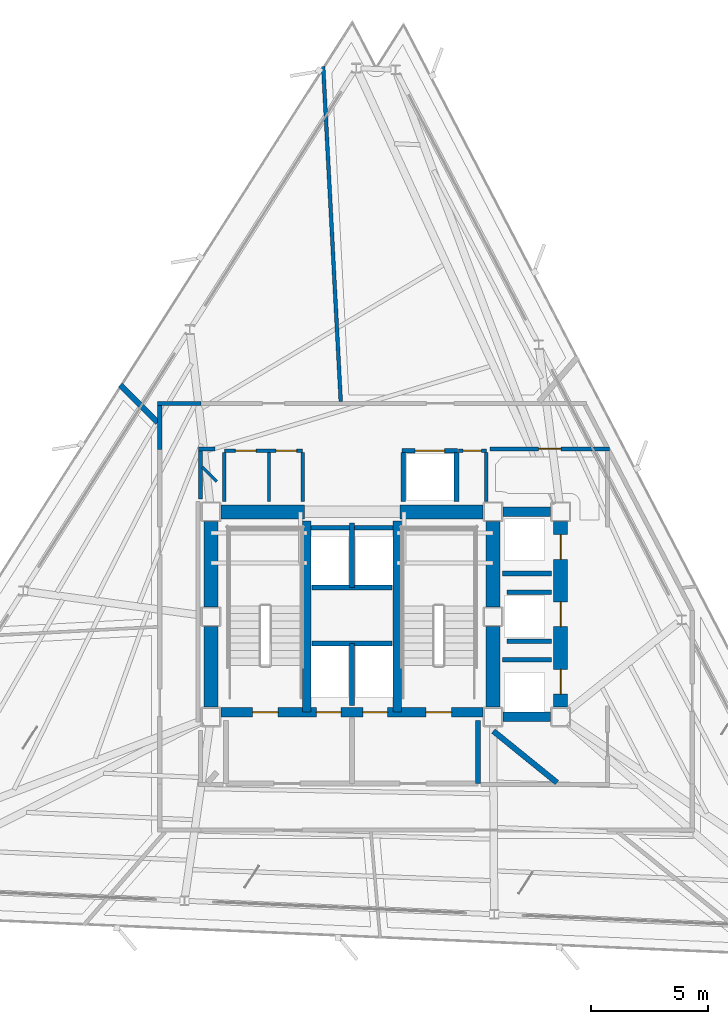
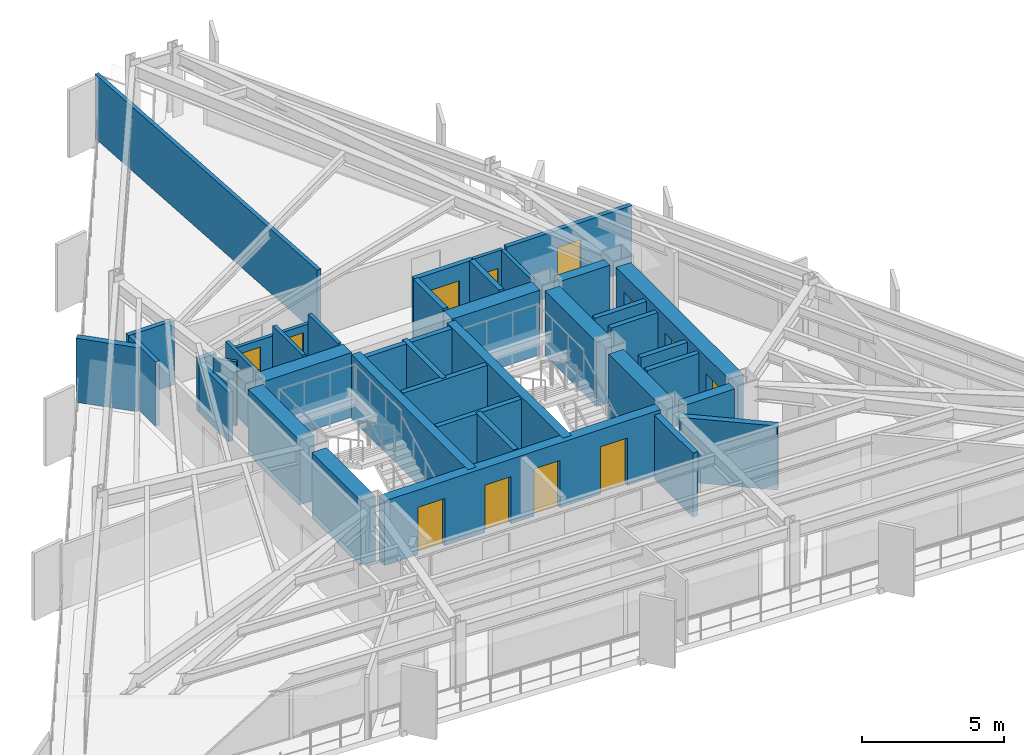
# One storey, part 8 of 12: 40 walls, 12 doors, 12 openings.
"""IFC4 building model written with IfcOpenShell, lengths in metres."""

from ifc_helpers import new_model, si_unit, direction, frame, frame_2d, origin, place, context, subcontext, project, spatial, rectangle, extrude, material, layer, layer_set, type_object, element, fill, save


model = new_model("IFC4")

# Units and contexts
model_context = context("Model", 3, precision=1e-05, world=origin(), true_north=direction((0.0, 1.0)))
body_context = subcontext(model_context, "Body", "Model", "MODEL_VIEW")
ifc_project = project(units=[si_unit("LENGTHUNIT", "METRE"), si_unit("AREAUNIT", "SQUARE_METRE"), si_unit("VOLUMEUNIT", "CUBIC_METRE"), si_unit("PLANEANGLEUNIT", "RADIAN"), si_unit("MASSUNIT", "GRAM", prefix="KILO")], contexts=[model_context])

# Site, building, storey
site_placement = place(None, origin())
site = spatial("IfcSite", under=ifc_project, at=site_placement, CompositionType="ELEMENT")
building_placement = place(site_placement, origin())
building = spatial("IfcBuilding", under=site, at=building_placement, Name="Rocaltana Carrier Exchange", CompositionType="ELEMENT")
storey_placement = place(building_placement, frame((0.0, 0.0, 132.0)))
storey = spatial("IfcBuildingStorey", under=building, at=storey_placement, Name="L41", CompositionType="ELEMENT", Elevation=132.0)

# Walls
ifc_material_1 = material(Name="Double Acoustic Gypsum Partition", Category="gypsum")
ifc_layer_1 = layer(ifc_material_1, 0.159912109375)
ifc_layer_set_1 = layer_set([ifc_layer_1], Name="Double Acoustic Gypsum Partition")
wall_type_1 = type_object("IfcWallType", Name="Acoustic Studio Partition 160 EI60", PredefinedType="PARTITIONING", material=ifc_layer_set_1)
wall_1_placement = place(storey_placement, frame((-0.483642578125, 9.22998046875, 0.0), z_axis=(0.0, 0.0, 1.0), x_axis=(-0.052344416919, 0.998629091313, 0.0)))
element("IfcWall", 1, at=wall_1_placement, inside=storey, type_object=wall_type_1, Name="L41 Suite Divider Wall D9", PredefinedType="PARTITIONING", context=body_context, shape_type="SweptSolid", body=[
    extrude(rectangle(XDim=14.40283203125, YDim=0.159912109375, at=frame_2d((7.201416015625, 0.0))), origin(), (0.0, 0.0, 1.0), 2.762939453125),
])
ifc_material_2 = material(Name="Concrete C50/60", Category="concrete")
ifc_layer_2 = layer(ifc_material_2, 0.35009765625)
ifc_layer_set_2 = layer_set([ifc_layer_2], Name="Concrete C50/60")
wall_type_2 = type_object("IfcWallType", Name="Core Internal Shear Wall 350", PredefinedType="SHEAR", material=ifc_layer_set_2)
for number, where, z_axis, x_axis, name in (
    (2, (-1.93994140625, -4.10009765625, 0.0), (0.0, 0.0, 1.0), (0.0, 1.0, 0.0), "L41 Core Shear Wall CW-STW"),
    (3, (1.93994140625, -4.10009765625, 0.0), (0.0, 0.0, 1.0), (0.0, 1.0, 0.0), "L41 Core Shear Wall CW-STE"),
):
    element("IfcWall", number, at=place(storey_placement, frame(where, z_axis=z_axis, x_axis=x_axis)), inside=storey, type_object=wall_type_2, Name=name, PredefinedType="SHEAR", context=body_context, shape_type="SweptSolid", body=[
        extrude(rectangle(XDim=8.2001953125, YDim=0.35009765625, at=frame_2d((4.10009765625, 0.0))), origin(), (0.0, 0.0, 1.0), 2.7880859375),
    ])

# Wall, openings, doors
ifc_material_3 = material(Name="Concrete C50/60", Category="concrete")
ifc_layer_3 = layer(ifc_material_3, 0.39990234375)
ifc_layer_set_3 = layer_set([ifc_layer_3], Name="Concrete C50/60")
wall_type_3 = type_object("IfcWallType", Name="Core Internal Shear Wall 400", PredefinedType="SHEAR", material=ifc_layer_set_3)
wall_2_placement = place(storey_placement, frame((-5.625, -4.10009765625, 0.0), z_axis=(0.0, 0.0, 1.0), x_axis=(1.0, 0.0, 0.0)))
wall_2 = element("IfcWall", 4, at=wall_2_placement, inside=storey, type_object=wall_type_3, Name="L41 Core Shear Wall CW-S", PredefinedType="SHEAR", context=body_context, shape_type="SweptSolid", body=[
    extrude(rectangle(XDim=11.25, YDim=0.39990234375, at=frame_2d((5.625, 0.0))), origin(), (0.0, 0.0, 1.0), 2.7880859375),
])
opening_1_placement = place(wall_2_placement, frame((1.35498046875, 0.0, 0.0)))
opening_1 = element("IfcOpeningElement", 5, at=opening_1_placement, cuts=wall_2, Name="Opening D-ST110", PredefinedType="OPENING", context=body_context, shape_type="SweptSolid", body=[
    extrude(rectangle(XDim=1.10009765625, YDim=2.0400390625, at=frame_2d((0.550048828125, 1.02001953125))), frame((0.0, 0.2099609375, 0.0), z_axis=(0.0, -1.0, 0.0), x_axis=(1.0, 0.0, 0.0)), (0.0, 0.0, 1.0), 0.419921875),
])
opening_2_placement = place(wall_2_placement, frame((8.794921875, 0.0, 0.0)))
opening_2 = element("IfcOpeningElement", 6, at=opening_2_placement, cuts=wall_2, Name="Opening D-ST110", PredefinedType="OPENING", context=body_context, shape_type="SweptSolid", body=[
    extrude(rectangle(XDim=1.10009765625, YDim=2.0400390625, at=frame_2d((0.550048828125, 1.02001953125))), frame((0.0, 0.2099609375, 0.0), z_axis=(0.0, -1.0, 0.0), x_axis=(1.0, 0.0, 0.0)), (0.0, 0.0, 1.0), 0.419921875),
])
opening_3_placement = place(wall_2_placement, frame((4.094970703125, 0.0, 0.0)))
opening_3 = element("IfcOpeningElement", 7, at=opening_3_placement, cuts=wall_2, Name="Opening LD-110", PredefinedType="OPENING", context=body_context, shape_type="SweptSolid", body=[
    extrude(rectangle(XDim=1.06005859375, YDim=2.0400390625, at=frame_2d((0.530029296875, 1.02001953125))), frame((0.0, 0.2099609375, 0.0), z_axis=(0.0, -1.0, 0.0), x_axis=(1.0, 0.0, 0.0)), (0.0, 0.0, 1.0), 0.419921875),
])
opening_4_placement = place(wall_2_placement, frame((6.094970703125, 0.0, 0.0)))
opening_4 = element("IfcOpeningElement", 8, at=opening_4_placement, cuts=wall_2, Name="Opening LD-110", PredefinedType="OPENING", context=body_context, shape_type="SweptSolid", body=[
    extrude(rectangle(XDim=1.06005859375, YDim=2.0400390625, at=frame_2d((0.530029296875, 1.02001953125))), frame((0.0, 0.2099609375, 0.0), z_axis=(0.0, -1.0, 0.0), x_axis=(1.0, 0.0, 0.0)), (0.0, 0.0, 1.0), 0.419921875),
])
ifc_material_4 = material(Name="Hollow Metal Fire Door Assembly", Category="steel")
door_type_1 = type_object("IfcDoorType", Name="Exit Stair Fire Door 1100x2040 FD90S", OperationType="NOTDEFINED", PredefinedType="DOOR", material=ifc_material_4)
door_1_placement = place(opening_1_placement, origin())
door_1 = element("IfcDoor", 9, at=door_1_placement, inside=storey, type_object=door_type_1, Name="L41 Exit Stair ST1 Fire Door", OperationType="SINGLE_SWING_LEFT", OverallHeight=2.0400390625, OverallWidth=1.10009765625, PredefinedType="DOOR", context=body_context, shape_type="SweptSolid", body=[
    extrude(rectangle(XDim=1.10009765625, YDim=2.0400390625, at=frame_2d((0.550048828125, 1.02001953125))), frame((0.0, 0.02490234375, 0.0), z_axis=(0.0, -1.0, 0.0), x_axis=(1.0, 0.0, 0.0)), (0.0, 0.0, 1.0), 0.050048828125),
])
fill(opening_1, door_1)
door_2_placement = place(opening_2_placement, origin())
door_2 = element("IfcDoor", 10, at=door_2_placement, inside=storey, type_object=door_type_1, Name="L41 Exit Stair ST2 Fire Door", OperationType="SINGLE_SWING_RIGHT", OverallHeight=2.0400390625, OverallWidth=1.10009765625, PredefinedType="DOOR", context=body_context, shape_type="SweptSolid", body=[
    extrude(rectangle(XDim=1.10009765625, YDim=2.0400390625, at=frame_2d((0.550048828125, 1.02001953125))), frame((0.0, 0.02490234375, 0.0), z_axis=(0.0, -1.0, 0.0), x_axis=(1.0, 0.0, 0.0)), (0.0, 0.0, 1.0), 0.050048828125),
])
fill(opening_2, door_2)
ifc_material_5 = material(Name="Brushed Stainless Sliding Door Leaf", Category="steel")
door_type_2 = type_object("IfcDoorType", Name="Lift Landing Sliding Door 1060x2040", OperationType="NOTDEFINED", PredefinedType="DOOR", material=ifc_material_5)
door_3_placement = place(opening_3_placement, origin())
door_3 = element("IfcDoor", 11, at=door_3_placement, inside=storey, type_object=door_type_2, Name="L41 Firefighting Lift FFL1 Landing Door", OperationType="SLIDING_TO_LEFT", OverallHeight=2.0400390625, OverallWidth=1.06005859375, PredefinedType="DOOR", context=body_context, shape_type="SweptSolid", body=[
    extrude(rectangle(XDim=1.06005859375, YDim=2.0400390625, at=frame_2d((0.530029296875, 1.02001953125))), frame((0.0, 0.02490234375, 0.0), z_axis=(0.0, -1.0, 0.0), x_axis=(1.0, 0.0, 0.0)), (0.0, 0.0, 1.0), 0.050048828125),
])
fill(opening_3, door_3)
door_4_placement = place(opening_4_placement, origin())
door_4 = element("IfcDoor", 12, at=door_4_placement, inside=storey, type_object=door_type_2, Name="L41 Firefighting Lift FFL2 Landing Door", OperationType="SLIDING_TO_RIGHT", OverallHeight=2.0400390625, OverallWidth=1.06005859375, PredefinedType="DOOR", context=body_context, shape_type="SweptSolid", body=[
    extrude(rectangle(XDim=1.06005859375, YDim=2.0400390625, at=frame_2d((0.530029296875, 1.02001953125))), frame((0.0, 0.02490234375, 0.0), z_axis=(0.0, -1.0, 0.0), x_axis=(1.0, 0.0, 0.0)), (0.0, 0.0, 1.0), 0.050048828125),
])
fill(opening_4, door_4)

# Walls
for number, where, z_axis, x_axis, name in (
    (13, (6.47509765625, 4.5, 0.0), (0.0, 0.0, 1.0), (1.0, 0.0, 0.0), "L41 Core Shear Wall CW-EWN"),
    (14, (6.47509765625, -4.300048828125, 0.0), (0.0, 0.0, 1.0), (1.0, 0.0, 0.0), "L41 Core Shear Wall CW-EWS"),
):
    element("IfcWall", number, at=place(storey_placement, frame(where, z_axis=z_axis, x_axis=x_axis)), inside=storey, type_object=wall_type_3, Name=name, PredefinedType="SHEAR", context=body_context, shape_type="SweptSolid", body=[
        extrude(rectangle(XDim=2.0498046875, YDim=0.39990234375, at=frame_2d((1.02490234375, 0.0))), origin(), (0.0, 0.0, 1.0), 2.7880859375),
    ])
ifc_material_6 = material(Name="Concrete C50/60", Category="concrete")
ifc_layer_4 = layer(ifc_material_6, 0.60009765625)
ifc_layer_set_4 = layer_set([ifc_layer_4], Name="Concrete C50/60")
wall_type_4 = type_object("IfcWallType", Name="Core Shear Wall 600", PredefinedType="SHEAR", material=ifc_layer_set_4)
wall_3_placement = place(storey_placement, frame((-6.050048828125, 0.425048828125, 0.0), z_axis=(0.0, 0.0, 1.0), x_axis=(0.0, 1.0, 0.0)))
element("IfcWall", 15, at=wall_3_placement, inside=storey, type_object=wall_type_4, Name="L41 Core Shear Wall CW-WN", PredefinedType="SHEAR", context=body_context, shape_type="SweptSolid", body=[
    extrude(rectangle(XDim=3.64990234375, YDim=0.60009765625, at=frame_2d((1.824951171875, 0.0))), origin(), (0.0, 0.0, 1.0), 2.7880859375),
])
wall_4_placement = place(storey_placement, frame((-6.050048828125, -3.875, 0.0), z_axis=(0.0, 0.0, 1.0), x_axis=(0.0, 1.0, 0.0)))
element("IfcWall", 16, at=wall_4_placement, inside=storey, type_object=wall_type_4, Name="L41 Core Shear Wall CW-WS", PredefinedType="SHEAR", context=body_context, shape_type="SweptSolid", body=[
    extrude(rectangle(XDim=3.449951171875, YDim=0.60009765625, at=frame_2d((1.72509765625, 0.0))), origin(), (0.0, 0.0, 1.0), 2.7880859375),
])
wall_5_placement = place(storey_placement, frame((6.050048828125, 0.425048828125, 0.0), z_axis=(0.0, 0.0, 1.0), x_axis=(0.0, 1.0, 0.0)))
element("IfcWall", 17, at=wall_5_placement, inside=storey, type_object=wall_type_4, Name="L41 Core Shear Wall CW-EN", PredefinedType="SHEAR", context=body_context, shape_type="SweptSolid", body=[
    extrude(rectangle(XDim=3.64990234375, YDim=0.60009765625, at=frame_2d((1.824951171875, 0.0))), origin(), (0.0, 0.0, 1.0), 2.7880859375),
])
wall_6_placement = place(storey_placement, frame((6.050048828125, -3.875, 0.0), z_axis=(0.0, 0.0, 1.0), x_axis=(0.0, 1.0, 0.0)))
element("IfcWall", 18, at=wall_6_placement, inside=storey, type_object=wall_type_4, Name="L41 Core Shear Wall CW-ES", PredefinedType="SHEAR", context=body_context, shape_type="SweptSolid", body=[
    extrude(rectangle(XDim=3.449951171875, YDim=0.60009765625, at=frame_2d((1.72509765625, 0.0))), origin(), (0.0, 0.0, 1.0), 2.7880859375),
])
for number, where, z_axis, x_axis, name in (
    (19, (-5.625, 4.5, 0.0), (0.0, 0.0, 1.0), (1.0, 0.0, 0.0), "L41 Core Shear Wall CW-N1"),
    (20, (2.050048828125, 4.5, 0.0), (0.0, 0.0, 1.0), (1.0, 0.0, 0.0), "L41 Core Shear Wall CW-N2"),
):
    element("IfcWall", number, at=place(storey_placement, frame(where, z_axis=z_axis, x_axis=x_axis)), inside=storey, type_object=wall_type_4, Name=name, PredefinedType="SHEAR", context=body_context, shape_type="SweptSolid", body=[
        extrude(rectangle(XDim=3.574951171875, YDim=0.60009765625, at=frame_2d((1.78759765625, 0.0))), origin(), (0.0, 0.0, 1.0), 2.7880859375),
    ])

# Wall, openings, doors
wall_7_placement = place(storey_placement, frame((8.949951171875, -3.875, 0.0), z_axis=(0.0, 0.0, 1.0), x_axis=(0.0, 1.0, 0.0)))
wall_7 = element("IfcWall", 21, at=wall_7_placement, inside=storey, type_object=wall_type_4, Name="L41 Core Shear Wall CW-EW", PredefinedType="SHEAR", context=body_context, shape_type="SweptSolid", body=[
    extrude(rectangle(XDim=7.949951171875, YDim=0.60009765625, at=frame_2d((3.97509765625, 0.0))), origin(), (0.0, 0.0, 1.0), 2.7880859375),
])
opening_5_placement = place(wall_7_placement, frame((0.550048828125, 0.0, 0.0)))
opening_5 = element("IfcOpeningElement", 22, at=opening_5_placement, cuts=wall_7, Name="Opening LD-110", PredefinedType="OPENING", context=body_context, shape_type="SweptSolid", body=[
    extrude(rectangle(XDim=1.06005859375, YDim=2.0400390625, at=frame_2d((0.530029296875, 1.02001953125))), frame((0.0, 0.31005859375, 0.0), z_axis=(0.0, -1.0, 0.0), x_axis=(1.0, 0.0, 0.0)), (0.0, 0.0, 1.0), 0.6201171875),
])
opening_6_placement = place(wall_7_placement, frame((3.445068359375, 0.0, 0.0)))
opening_6 = element("IfcOpeningElement", 23, at=opening_6_placement, cuts=wall_7, Name="Opening LD-110", PredefinedType="OPENING", context=body_context, shape_type="SweptSolid", body=[
    extrude(rectangle(XDim=1.06005859375, YDim=2.0400390625, at=frame_2d((0.530029296875, 1.02001953125))), frame((0.0, 0.31005859375, 0.0), z_axis=(0.0, -1.0, 0.0), x_axis=(1.0, 0.0, 0.0)), (0.0, 0.0, 1.0), 0.6201171875),
])
opening_7_placement = place(wall_7_placement, frame((6.330078125, 0.0, 0.0)))
opening_7 = element("IfcOpeningElement", 24, at=opening_7_placement, cuts=wall_7, Name="Opening LD-110", PredefinedType="OPENING", context=body_context, shape_type="SweptSolid", body=[
    extrude(rectangle(XDim=1.06005859375, YDim=2.0400390625, at=frame_2d((0.530029296875, 1.02001953125))), frame((0.0, 0.31005859375, 0.0), z_axis=(0.0, -1.0, 0.0), x_axis=(1.0, 0.0, 0.0)), (0.0, 0.0, 1.0), 0.6201171875),
])
door_5_placement = place(opening_5_placement, origin())
door_5 = element("IfcDoor", 25, at=door_5_placement, inside=storey, type_object=door_type_2, Name="L41 Mid-Rise Lift PL-M1 Landing Door", OperationType="SLIDING_TO_LEFT", OverallHeight=2.0400390625, OverallWidth=1.06005859375, PredefinedType="DOOR", context=body_context, shape_type="SweptSolid", body=[
    extrude(rectangle(XDim=1.06005859375, YDim=2.0400390625, at=frame_2d((0.530029296875, 1.02001953125))), frame((0.0, 0.02490234375, 0.0), z_axis=(0.0, -1.0, 0.0), x_axis=(1.0, 0.0, 0.0)), (0.0, 0.0, 1.0), 0.050048828125),
])
fill(opening_5, door_5)
door_6_placement = place(opening_6_placement, origin())
door_6 = element("IfcDoor", 26, at=door_6_placement, inside=storey, type_object=door_type_2, Name="L41 Mid-Rise Lift PL-M2 Landing Door", OperationType="SLIDING_TO_RIGHT", OverallHeight=2.0400390625, OverallWidth=1.06005859375, PredefinedType="DOOR", context=body_context, shape_type="SweptSolid", body=[
    extrude(rectangle(XDim=1.06005859375, YDim=2.0400390625, at=frame_2d((0.530029296875, 1.02001953125))), frame((0.0, 0.02490234375, 0.0), z_axis=(0.0, -1.0, 0.0), x_axis=(1.0, 0.0, 0.0)), (0.0, 0.0, 1.0), 0.050048828125),
])
fill(opening_6, door_6)
door_7_placement = place(opening_7_placement, origin())
door_7 = element("IfcDoor", 27, at=door_7_placement, inside=storey, type_object=door_type_2, Name="L41 Mid-Rise Lift PL-M3 Landing Door", OperationType="SLIDING_TO_LEFT", OverallHeight=2.0400390625, OverallWidth=1.06005859375, PredefinedType="DOOR", context=body_context, shape_type="SweptSolid", body=[
    extrude(rectangle(XDim=1.06005859375, YDim=2.0400390625, at=frame_2d((0.530029296875, 1.02001953125))), frame((0.0, 0.02490234375, 0.0), z_axis=(0.0, -1.0, 0.0), x_axis=(1.0, 0.0, 0.0)), (0.0, 0.0, 1.0), 0.050048828125),
])
fill(opening_7, door_7)

# Walls
ifc_material_7 = material(Name="Gypsum & Steel Stud Partition", Category="steel")
ifc_layer_5 = layer(ifc_material_7, 0.179931640625)
ifc_layer_set_5 = layer_set([ifc_layer_5], Name="Gypsum & Steel Stud Partition")
wall_type_5 = type_object("IfcWallType", Name="Corridor Fire Partition 180 EI60", PredefinedType="PARTITIONING", material=ifc_layer_set_5)
wall_8_placement = place(storey_placement, frame((-8.25, 7.179931640625, 0.0), z_axis=(0.0, 0.0, 1.0), x_axis=(0.0, 1.0, 0.0)))
element("IfcWall", 28, at=wall_8_placement, inside=storey, type_object=wall_type_5, Name="L41 Corridor Partition 4", PredefinedType="PARTITIONING", context=body_context, shape_type="SweptSolid", body=[
    extrude(rectangle(XDim=1.880126953125, YDim=0.179931640625, at=frame_2d((0.93994140625, 0.0))), origin(), (0.0, 0.0, 1.0), 2.762939453125),
])
wall_9_placement = place(storey_placement, frame((-8.340087890625, 9.14990234375, 0.0), z_axis=(0.0, 0.0, 1.0), x_axis=(1.0, 0.0, 0.0)))
element("IfcWall", 29, at=wall_9_placement, inside=storey, type_object=wall_type_5, Name="L41 Corridor Partition 5", PredefinedType="PARTITIONING", context=body_context, shape_type="SweptSolid", body=[
    extrude(rectangle(XDim=1.860107421875, YDim=0.179931640625, at=frame_2d((0.93017578125, 0.0))), origin(), (0.0, 0.0, 1.0), 2.762939453125),
])

# Wall, opening, door
wall_10_placement = place(storey_placement, frame((11.050048828125, 7.199951171875, 0.0), z_axis=(0.0, 0.0, 1.0), x_axis=(-1.0, 0.0, 0.0)))
wall_10 = element("IfcWall", 30, at=wall_10_placement, inside=storey, type_object=wall_type_5, Name="L41 Corridor Partition 15", PredefinedType="PARTITIONING", context=body_context, shape_type="SweptSolid", body=[
    extrude(rectangle(XDim=5.1201171875, YDim=0.179931640625, at=frame_2d((2.56005859375, 0.0))), origin(), (0.0, 0.0, 1.0), 2.762939453125),
])
opening_8_placement = place(wall_10_placement, frame((2.080078125, 0.0, 0.0)))
opening_8 = element("IfcOpeningElement", 31, at=opening_8_placement, cuts=wall_10, Name="Opening D-RM098", PredefinedType="OPENING", context=body_context, shape_type="SweptSolid", body=[
    extrude(rectangle(XDim=0.9599609375, YDim=2.02001953125, at=frame_2d((0.47998046875, 1.010009765625))), frame((0.0, 0.099853515625, 0.0), z_axis=(0.0, -1.0, 0.0), x_axis=(1.0, 0.0, 0.0)), (0.0, 0.0, 1.0), 0.199951171875),
])
ifc_material_8 = material(Name="Engineered Hardwood Timber", Category="wood")
door_type_3 = type_object("IfcDoorType", Name="Workspace Single Door 960x2020", OperationType="NOTDEFINED", PredefinedType="DOOR", material=ifc_material_8)
door_8_placement = place(opening_8_placement, origin())
door_8 = element("IfcDoor", 32, at=door_8_placement, inside=storey, type_object=door_type_3, Name="L41 Peering Conference Room Entrance Door", OperationType="SINGLE_SWING_LEFT", OverallHeight=2.02001953125, OverallWidth=0.9599609375, PredefinedType="DOOR", context=body_context, shape_type="SweptSolid", body=[
    extrude(rectangle(XDim=0.9599609375, YDim=2.02001953125, at=frame_2d((0.47998046875, 1.010009765625))), frame((0.0, 0.02490234375, 0.0), z_axis=(0.0, -1.0, 0.0), x_axis=(1.0, 0.0, 0.0)), (0.0, 0.0, 1.0), 0.050048828125),
])
fill(opening_8, door_8)

# Walls
wall_11_placement = place(storey_placement, frame((-5.8798828125, 7.199951171875, 0.0), z_axis=(0.0, 0.0, 1.0), x_axis=(-1.0, 0.0, 0.0)))
element("IfcWall", 33, at=wall_11_placement, inside=storey, type_object=wall_type_5, Name="L41 Corridor Partition 16", PredefinedType="PARTITIONING", context=body_context, shape_type="SweptSolid", body=[
    extrude(rectangle(XDim=0.710205078125, YDim=0.179931640625, at=frame_2d((0.35498046875, 0.0))), origin(), (0.0, 0.0, 1.0), 2.330078125),
])
wall_12_placement = place(storey_placement, frame((-6.5, 7.110107421875, 0.0), z_axis=(0.0, 0.0, 1.0), x_axis=(0.0, -1.0, 0.0)))
element("IfcWall", 34, at=wall_12_placement, inside=storey, type_object=wall_type_5, Name="L41 Corridor Partition 17", PredefinedType="PARTITIONING", context=body_context, shape_type="SweptSolid", body=[
    extrude(rectangle(XDim=2.058349609375, YDim=0.179931640625, at=frame_2d((1.029296875, 0.0))), origin(), (0.0, 0.0, 1.0), 2.132080078125),
])
ifc_material_9 = material(Name="Aluminium 6063-T6 & Acoustic Glass", Category="aluminium")
ifc_layer_6 = layer(ifc_material_9, 0.114990234375)
ifc_layer_set_6 = layer_set([ifc_layer_6], Name="Aluminium 6063-T6 & Acoustic Glass")
wall_type_6 = type_object("IfcWallType", Name="Demountable Glazed Lab Partition 115", PredefinedType="MOVABLE", material=ifc_layer_set_6)
wall_13_placement = place(storey_placement, frame((-5.800048828125, 5.800048828125, 0.0), z_axis=(0.0, 0.0, 1.0), x_axis=(-0.707106781187, 0.707106781187, 0.0)))
element("IfcWall", 35, at=wall_13_placement, inside=storey, type_object=wall_type_6, Name="L41 Suite Divider Wall D10", PredefinedType="MOVABLE", context=body_context, shape_type="SweptSolid", body=[
    extrude(rectangle(XDim=0.876708984375, YDim=0.114990234375, at=frame_2d((0.4384765625, 0.0))), origin(), (0.0, 0.0, 1.0), 2.762939453125),
])
ifc_material_10 = material(Name="Autoclaved Aerated Concrete C30/37", Category="concrete")
ifc_layer_7 = layer(ifc_material_10, 0.219970703125)
ifc_layer_set_7 = layer_set([ifc_layer_7], Name="Autoclaved Aerated Concrete C30/37")
wall_type_7 = type_object("IfcWallType", Name="Firefighting Lobby Wall 220 EI120", PredefinedType="PARTITIONING", material=ifc_layer_set_7)
wall_14_placement = place(storey_placement, frame((5.39990234375, -7.159912109375, 0.0), z_axis=(0.0, 0.0, 1.0), x_axis=(0.0, 1.0, 0.0)))
element("IfcWall", 36, at=wall_14_placement, inside=storey, type_object=wall_type_7, Name="L41 FFL Lobby 2 East Wall", PredefinedType="PARTITIONING", context=body_context, shape_type="SweptSolid", body=[
    extrude(rectangle(XDim=2.7099609375, YDim=0.219970703125, at=frame_2d((1.35498046875, 0.0))), origin(), (0.0, 0.0, 1.0), 2.762939453125),
])
ifc_material_11 = material(Name="Acoustic Calcium Silicate Partition", Category="gypsum")
ifc_layer_8 = layer(ifc_material_11, 0.239990234375)
ifc_layer_set_8 = layer_set([ifc_layer_8], Name="Acoustic Calcium Silicate Partition")
wall_type_8 = type_object("IfcWallType", Name="Heavy Lab Partition 240 EI90", PredefinedType="PARTITIONING", material=ifc_layer_set_8)
wall_15_placement = place(storey_placement, frame((6.063232421875, -4.909912109375, 0.0), z_axis=(0.0, 0.0, 1.0), x_axis=(0.777131535724, -0.629338204929, 0.0)))
element("IfcWall", 37, at=wall_15_placement, inside=storey, type_object=wall_type_8, Name="L41 Suite Divider Wall D5", PredefinedType="PARTITIONING", context=body_context, shape_type="SweptSolid", body=[
    extrude(rectangle(XDim=3.511962890625, YDim=0.239990234375, at=frame_2d((1.755859375, 0.0))), origin(), (0.0, 0.0, 1.0), 2.762939453125),
])
wall_16_placement = place(storey_placement, frame((-8.330078125, 8.330078125, 0.0), z_axis=(0.0, 0.0, 1.0), x_axis=(-0.707106781187, 0.707106781187, 0.0)))
element("IfcWall", 38, at=wall_16_placement, inside=storey, type_object=wall_type_8, Name="L41 Suite Divider Wall D11", PredefinedType="PARTITIONING", context=body_context, shape_type="SweptSolid", body=[
    extrude(rectangle(XDim=2.283935546875, YDim=0.239990234375, at=frame_2d((1.14208984375, 0.0))), origin(), (0.0, 0.0, 1.0), 2.762939453125),
])
ifc_material_12 = material(Name="Reinforced Concrete Block C35/45", Category="concrete")
ifc_layer_9 = layer(ifc_material_12, 0.199951171875)
ifc_layer_set_9 = layer_set([ifc_layer_9], Name="Reinforced Concrete Block C35/45")
wall_type_9 = type_object("IfcWallType", Name="Lift Hoistway Enclosure Wall 200 EI120", PredefinedType="PARTITIONING", material=ifc_layer_set_9)
wall_17_placement = place(storey_placement, frame((0.0, -3.820068359375, 0.0), z_axis=(0.0, 0.0, 1.0), x_axis=(0.0, 1.0, 0.0)))
element("IfcWall", 39, at=wall_17_placement, inside=storey, type_object=wall_type_9, Name="L41 FFL Shaft Divider", PredefinedType="PARTITIONING", context=body_context, shape_type="SweptSolid", body=[
    extrude(rectangle(XDim=2.670166015625, YDim=0.199951171875, at=frame_2d((1.3349609375, 0.0))), origin(), (0.0, 0.0, 1.0), 2.762939453125),
])
wall_18_placement = place(storey_placement, frame((-1.719970703125, -1.14990234375, 0.0), z_axis=(0.0, 0.0, 1.0), x_axis=(1.0, 0.0, 0.0)))
element("IfcWall", 40, at=wall_18_placement, inside=storey, type_object=wall_type_9, Name="L41 FFL Shaft Back Wall", PredefinedType="PARTITIONING", context=body_context, shape_type="SweptSolid", body=[
    extrude(rectangle(XDim=3.43994140625, YDim=0.199951171875, at=frame_2d((1.719970703125, 0.0))), origin(), (0.0, 0.0, 1.0), 2.762939453125),
])
wall_19_placement = place(storey_placement, frame((0.0, 1.25, 0.0), z_axis=(0.0, 0.0, 1.0), x_axis=(0.0, 1.0, 0.0)))
element("IfcWall", 41, at=wall_19_placement, inside=storey, type_object=wall_type_9, Name="L41 High-Rise Shaft Divider", PredefinedType="PARTITIONING", context=body_context, shape_type="SweptSolid", body=[
    extrude(rectangle(XDim=2.77001953125, YDim=0.199951171875, at=frame_2d((1.385009765625, 0.0))), origin(), (0.0, 0.0, 1.0), 2.762939453125),
])
wall_20_placement = place(storey_placement, frame((-1.719970703125, 1.25, 0.0), z_axis=(0.0, 0.0, 1.0), x_axis=(1.0, 0.0, 0.0)))
element("IfcWall", 42, at=wall_20_placement, inside=storey, type_object=wall_type_9, Name="L41 High-Rise Shaft Back Wall", PredefinedType="PARTITIONING", context=body_context, shape_type="SweptSolid", body=[
    extrude(rectangle(XDim=3.43994140625, YDim=0.199951171875, at=frame_2d((1.719970703125, 0.0))), origin(), (0.0, 0.0, 1.0), 2.762939453125),
])
wall_21_placement = place(storey_placement, frame((-1.760009765625, 3.820068359375, 0.0), z_axis=(0.0, 0.0, 1.0), x_axis=(1.0, 0.0, 0.0)))
element("IfcWall", 43, at=wall_21_placement, inside=storey, type_object=wall_type_9, Name="L41 High-Rise Lift Front Wall", PredefinedType="PARTITIONING", context=body_context, shape_type="SweptSolid", body=[
    extrude(rectangle(XDim=3.52001953125, YDim=0.199951171875, at=frame_2d((1.760009765625, 0.0))), origin(), (0.0, 0.0, 1.0), 2.762939453125),
])
for number, where, z_axis, x_axis, name in (
    (44, (2.199951171875, 4.949951171875, 0.0), (0.0, 0.0, 1.0), (0.0, 1.0, 0.0), "L41 Goods Lift West Wall"),
    (45, (4.47998046875, 4.949951171875, 0.0), (0.0, 0.0, 1.0), (0.0, 1.0, 0.0), "L41 Goods Lift East Wall"),
):
    element("IfcWall", number, at=place(storey_placement, frame(where, z_axis=z_axis, x_axis=x_axis)), inside=storey, type_object=wall_type_9, Name=name, PredefinedType="PARTITIONING", context=body_context, shape_type="SweptSolid", body=[
        extrude(rectangle(XDim=2.10009765625, YDim=0.199951171875, at=frame_2d((1.050048828125, 0.0))), origin(), (0.0, 0.0, 1.0), 2.762939453125),
    ])

# Wall, opening, door
wall_22_placement = place(storey_placement, frame((2.14990234375, 7.1201171875, 0.0), z_axis=(0.0, 0.0, 1.0), x_axis=(1.0, 0.0, 0.0)))
wall_22 = element("IfcWall", 46, at=wall_22_placement, inside=storey, type_object=wall_type_9, Name="L41 Goods Lift Front Wall", PredefinedType="PARTITIONING", context=body_context, shape_type="SweptSolid", body=[
    extrude(rectangle(XDim=2.380126953125, YDim=0.199951171875, at=frame_2d((1.18994140625, 0.0))), origin(), (0.0, 0.0, 1.0), 2.762939453125),
])
opening_9_placement = place(wall_22_placement, frame((0.56005859375, 0.0, 0.0)))
opening_9 = element("IfcOpeningElement", 47, at=opening_9_placement, cuts=wall_22, Name="Opening LD-130", PredefinedType="OPENING", context=body_context, shape_type="SweptSolid", body=[
    extrude(rectangle(XDim=1.260009765625, YDim=2.06005859375, at=frame_2d((0.6298828125, 1.030029296875))), frame((0.0, 0.10986328125, 0.0), z_axis=(0.0, -1.0, 0.0), x_axis=(1.0, 0.0, 0.0)), (0.0, 0.0, 1.0), 0.219970703125),
])
ifc_material_13 = material(Name="Brushed Stainless Sliding Door Leaf", Category="steel")
door_type_4 = type_object("IfcDoorType", Name="Goods Lift Landing Sliding Door 1260x2060", OperationType="NOTDEFINED", PredefinedType="DOOR", material=ifc_material_13)
door_9_placement = place(opening_9_placement, origin())
door_9 = element("IfcDoor", 48, at=door_9_placement, inside=storey, type_object=door_type_4, Name="L41 Goods Lift GL-1 Landing Door", OperationType="SLIDING_TO_LEFT", OverallHeight=2.06005859375, OverallWidth=1.260009765625, PredefinedType="DOOR", context=body_context, shape_type="SweptSolid", body=[
    extrude(rectangle(XDim=1.260009765625, YDim=2.06005859375, at=frame_2d((0.6298828125, 1.030029296875))), frame((0.0, 0.02490234375, 0.0), z_axis=(0.0, -1.0, 0.0), x_axis=(1.0, 0.0, 0.0)), (0.0, 0.0, 1.0), 0.050048828125),
])
fill(opening_9, door_9)

# Walls
for number, where, z_axis, x_axis, name in (
    (49, (6.449951171875, -1.85009765625, 0.0), (0.0, 0.0, 1.0), (1.0, 0.0, 0.0), "L41 Mid-Rise Shaft Divider 1"),
    (50, (6.449951171875, 1.85009765625, 0.0), (0.0, 0.0, 1.0), (1.0, 0.0, 0.0), "L41 Mid-Rise Shaft Divider 2"),
):
    element("IfcWall", number, at=place(storey_placement, frame(where, z_axis=z_axis, x_axis=x_axis)), inside=storey, type_object=wall_type_9, Name=name, PredefinedType="PARTITIONING", context=body_context, shape_type="SweptSolid", body=[
        extrude(rectangle(XDim=2.10009765625, YDim=0.199951171875, at=frame_2d((1.050048828125, 0.0))), origin(), (0.0, 0.0, 1.0), 2.762939453125),
    ])
for number, where, z_axis, x_axis, name in (
    (51, (6.639892578125, -1.050048828125, 0.0), (0.0, 0.0, 1.0), (1.0, 0.0, 0.0), "L41 Mid-Rise Center Shaft Wall South"),
    (52, (6.639892578125, 1.050048828125, 0.0), (0.0, 0.0, 1.0), (1.0, 0.0, 0.0), "L41 Mid-Rise Center Shaft Wall North"),
):
    element("IfcWall", number, at=place(storey_placement, frame(where, z_axis=z_axis, x_axis=x_axis)), inside=storey, type_object=wall_type_9, Name=name, PredefinedType="PARTITIONING", context=body_context, shape_type="SweptSolid", body=[
        extrude(rectangle(XDim=1.91015625, YDim=0.199951171875, at=frame_2d((0.955078125, 0.0))), origin(), (0.0, 0.0, 1.0), 2.762939453125),
    ])
ifc_material_14 = material(Name="Moisture-Resistant Masonry C30/37", Category="masonry")
ifc_layer_10 = layer(ifc_material_14, 0.139892578125)
ifc_layer_set_10 = layer_set([ifc_layer_10], Name="Moisture-Resistant Masonry C30/37")
wall_type_10 = type_object("IfcWallType", Name="Wet-Area Sanitary Partition 140", PredefinedType="PARTITIONING", material=ifc_layer_set_10)
for number, where, z_axis, x_axis, name in (
    (53, (-5.47998046875, 4.949951171875, 0.0), (0.0, 0.0, 1.0), (0.0, 1.0, 0.0), "L41 Sanitary West Wall"),
    (54, (-3.56005859375, 4.949951171875, 0.0), (0.0, 0.0, 1.0), (0.0, 1.0, 0.0), "L41 Sanitary Divider"),
    (55, (-2.1201171875, 4.949951171875, 0.0), (0.0, 0.0, 1.0), (0.0, 1.0, 0.0), "L41 Sanitary East Wall"),
):
    element("IfcWall", number, at=place(storey_placement, frame(where, z_axis=z_axis, x_axis=x_axis)), inside=storey, type_object=wall_type_10, Name=name, PredefinedType="PARTITIONING", context=body_context, shape_type="SweptSolid", body=[
        extrude(rectangle(XDim=2.10009765625, YDim=0.139892578125, at=frame_2d((1.050048828125, 0.0))), origin(), (0.0, 0.0, 1.0), 2.762939453125),
    ])

# Wall, openings, doors
wall_23_placement = place(storey_placement, frame((-5.47998046875, 7.1201171875, 0.0), z_axis=(0.0, 0.0, 1.0), x_axis=(1.0, 0.0, 0.0)))
wall_23 = element("IfcWall", 56, at=wall_23_placement, inside=storey, type_object=wall_type_10, Name="L41 Sanitary North Wall", PredefinedType="PARTITIONING", context=body_context, shape_type="SweptSolid", body=[
    extrude(rectangle(XDim=3.35986328125, YDim=0.139892578125, at=frame_2d((1.679931640625, 0.0))), origin(), (0.0, 0.0, 1.0), 2.330078125),
])
opening_10_placement = place(wall_23_placement, frame((0.47998046875, 0.0, 0.0)))
opening_10 = element("IfcOpeningElement", 57, at=opening_10_placement, cuts=wall_23, Name="Opening D-WC090", PredefinedType="OPENING", context=body_context, shape_type="SweptSolid", body=[
    extrude(rectangle(XDim=0.8798828125, YDim=2.02001953125, at=frame_2d((0.43994140625, 1.010009765625))), frame((0.0, 0.079833984375, 0.0), z_axis=(0.0, -1.0, 0.0), x_axis=(1.0, 0.0, 0.0)), (0.0, 0.0, 1.0), 0.159912109375),
])
opening_11_placement = place(wall_23_placement, frame((2.219970703125, 0.0, 0.0)))
opening_11 = element("IfcOpeningElement", 58, at=opening_11_placement, cuts=wall_23, Name="Opening D-WC090", PredefinedType="OPENING", context=body_context, shape_type="SweptSolid", body=[
    extrude(rectangle(XDim=0.8798828125, YDim=2.02001953125, at=frame_2d((0.43994140625, 1.010009765625))), frame((0.0, 0.079833984375, 0.0), z_axis=(0.0, -1.0, 0.0), x_axis=(1.0, 0.0, 0.0)), (0.0, 0.0, 1.0), 0.159912109375),
])
ifc_material_15 = material(Name="High-Pressure Laminate Timber", Category="wood")
door_type_5 = type_object("IfcDoorType", Name="Restroom & Accessible WC Door 880x2020", OperationType="NOTDEFINED", PredefinedType="DOOR", material=ifc_material_15)
door_10_placement = place(opening_10_placement, origin())
door_10 = element("IfcDoor", 59, at=door_10_placement, inside=storey, type_object=door_type_5, Name="L41 Accessible Toilet Door", OperationType="SINGLE_SWING_LEFT", OverallHeight=2.02001953125, OverallWidth=0.8798828125, PredefinedType="DOOR", context=body_context, shape_type="SweptSolid", body=[
    extrude(rectangle(XDim=0.8798828125, YDim=2.02001953125, at=frame_2d((0.43994140625, 1.010009765625))), frame((0.0, 0.02490234375, 0.0), z_axis=(0.0, -1.0, 0.0), x_axis=(1.0, 0.0, 0.0)), (0.0, 0.0, 1.0), 0.050048828125),
])
fill(opening_10, door_10)
door_11_placement = place(opening_11_placement, origin())
door_11 = element("IfcDoor", 60, at=door_11_placement, inside=storey, type_object=door_type_5, Name="L41 Staff Restroom Door", OperationType="SINGLE_SWING_RIGHT", OverallHeight=2.02001953125, OverallWidth=0.8798828125, PredefinedType="DOOR", context=body_context, shape_type="SweptSolid", body=[
    extrude(rectangle(XDim=0.8798828125, YDim=2.02001953125, at=frame_2d((0.43994140625, 1.010009765625))), frame((0.0, 0.02490234375, 0.0), z_axis=(0.0, -1.0, 0.0), x_axis=(1.0, 0.0, 0.0)), (0.0, 0.0, 1.0), 0.050048828125),
])
fill(opening_11, door_11)

# Wall
wall_24_placement = place(storey_placement, frame((5.760009765625, 4.949951171875, 0.0), z_axis=(0.0, 0.0, 1.0), x_axis=(0.0, 1.0, 0.0)))
element("IfcWall", 61, at=wall_24_placement, inside=storey, type_object=wall_type_10, Name="L41 Riser East Wall", PredefinedType="PARTITIONING", context=body_context, shape_type="SweptSolid", body=[
    extrude(rectangle(XDim=2.10009765625, YDim=0.139892578125, at=frame_2d((1.050048828125, 0.0))), origin(), (0.0, 0.0, 1.0), 2.762939453125),
])

# Wall, opening, door
wall_25_placement = place(storey_placement, frame((4.56005859375, 7.1201171875, 0.0), z_axis=(0.0, 0.0, 1.0), x_axis=(1.0, 0.0, 0.0)))
wall_25 = element("IfcWall", 62, at=wall_25_placement, inside=storey, type_object=wall_type_10, Name="L41 Riser North Wall", PredefinedType="PARTITIONING", context=body_context, shape_type="SweptSolid", body=[
    extrude(rectangle(XDim=1.199951171875, YDim=0.139892578125, at=frame_2d((0.60009765625, 0.0))), origin(), (0.0, 0.0, 1.0), 2.762939453125),
])
opening_12_placement = place(wall_25_placement, frame((0.2099609375, 0.0, 0.0)))
opening_12 = element("IfcOpeningElement", 63, at=opening_12_placement, cuts=wall_25, Name="Opening D-RS082", PredefinedType="OPENING", context=body_context, shape_type="SweptSolid", body=[
    extrude(rectangle(XDim=0.780029296875, YDim=2.010009765625, at=frame_2d((0.39013671875, 1.0048828125))), frame((0.0, 0.079833984375, 0.0), z_axis=(0.0, -1.0, 0.0), x_axis=(1.0, 0.0, 0.0)), (0.0, 0.0, 1.0), 0.159912109375),
])
ifc_material_16 = material(Name="Hollow Metal Access Door Leaf", Category="steel")
door_type_6 = type_object("IfcDoorType", Name="Riser & Service Closet Door 780x2010", OperationType="NOTDEFINED", PredefinedType="DOOR", material=ifc_material_16)
door_12_placement = place(opening_12_placement, origin())
door_12 = element("IfcDoor", 64, at=door_12_placement, inside=storey, type_object=door_type_6, Name="L41 Fibre Riser Closet Door", OperationType="SINGLE_SWING_LEFT", OverallHeight=2.010009765625, OverallWidth=0.780029296875, PredefinedType="DOOR", context=body_context, shape_type="SweptSolid", body=[
    extrude(rectangle(XDim=0.780029296875, YDim=2.010009765625, at=frame_2d((0.39013671875, 1.0048828125))), frame((0.0, 0.02490234375, 0.0), z_axis=(0.0, -1.0, 0.0), x_axis=(1.0, 0.0, 0.0)), (0.0, 0.0, 1.0), 0.050048828125),
])
fill(opening_12, door_12)

save(model, "model.ifc")
